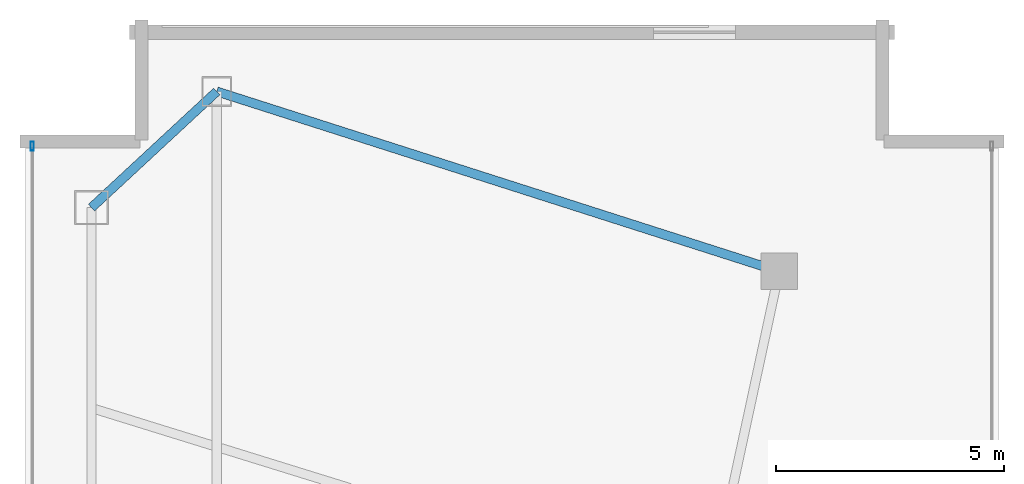
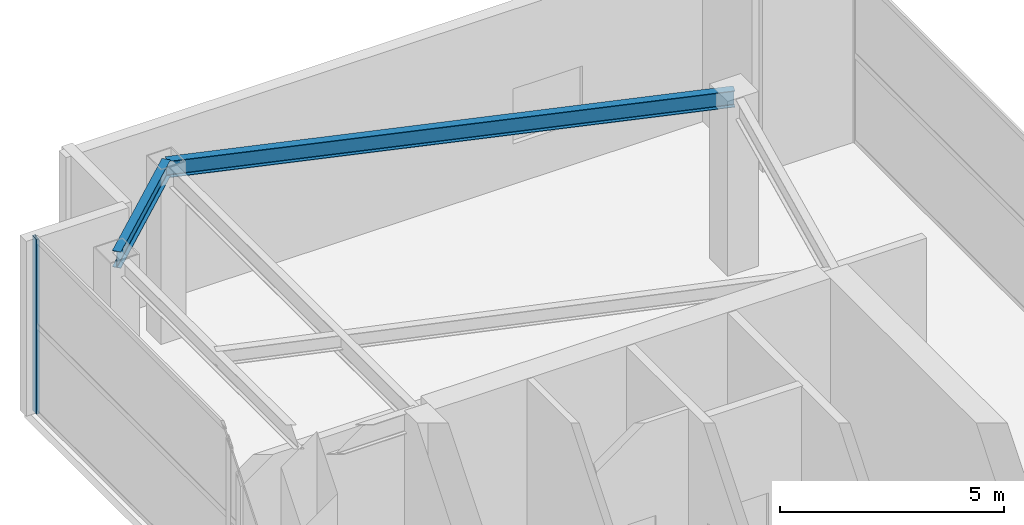
# One storey, part 14 of 20: 2 beams, 1 member, 1 element without a shape of its own.
"""IFC4 building model written with IfcOpenShell, lengths in metres."""

from ifc_helpers import new_model, si_unit, direction, frame, origin, origin_2d, place, context, subcontext, project, spatial, hollow_rectangle, i_section, extrude, material, layer, layer_set, material_profile, profile_set, type_object, element, aggregate, save


model = new_model("IFC4")

# Units and contexts
model_context = context("Model", 3, precision=1e-05, world=origin(), true_north=direction((0.0, 1.0)))
body_context = subcontext(model_context, "Body", "Model", "MODEL_VIEW")
ifc_project = project(units=[si_unit("LENGTHUNIT", "METRE"), si_unit("AREAUNIT", "SQUARE_METRE"), si_unit("VOLUMEUNIT", "CUBIC_METRE"), si_unit("PLANEANGLEUNIT", "RADIAN"), si_unit("MASSUNIT", "GRAM", prefix="KILO")], contexts=[model_context])

# Site, building, storey
site_placement = place(None, origin())
site = spatial("IfcSite", under=ifc_project, at=site_placement, CompositionType="ELEMENT")
building_placement = place(site_placement, origin())
building = spatial("IfcBuilding", under=site, at=building_placement, Name="Calvorn Quay Hotel", CompositionType="ELEMENT")
storey_placement = place(building_placement, frame((0.0, 0.0, 340.5)))
storey = spatial("IfcBuildingStorey", under=building, at=storey_placement, Name="L83", CompositionType="ELEMENT", Elevation=340.5)

# Beams
ifc_material_1 = material(Name="Steel Q355B", Category="steel")
ifc_material_profile_1 = material_profile(ifc_material_1, i_section(OverallWidth=0.199951171875, OverallDepth=0.449951171875, WebThickness=0.009033203125, FlangeThickness=0.013916015625, FilletRadius=0.01611328125, at=origin_2d()), Name="HN450x200x9x14")
ifc_profile_set_1 = profile_set([ifc_material_profile_1], Name="Steel Q355B")
beam_type = type_object("IfcBeamType", Name="BM-SPANDREL-Z3", PredefinedType="SPANDREL", material=ifc_profile_set_1)
beam_1_placement = place(storey_placement, frame((1.449951171875, 47.0, 4.514892578125), z_axis=(0.733261665538, 0.679946563969, 0.0), x_axis=(-0.679946563969, 0.733261665538, 0.0)))
element("IfcBeam", 1, at=beam_1_placement, inside=storey, type_object=beam_type, Name="Beam BSP-L83-W5", PredefinedType="SPANDREL", context=body_context, shape_type="SweptSolid", body=[
    extrude(i_section(OverallWidth=0.199951171875, OverallDepth=0.449951171875, WebThickness=0.009033203125, FlangeThickness=0.013916015625, FilletRadius=0.01611328125, at=origin_2d()), origin(), (0.0, 0.0, 1.0), 3.75048828125),
])
beam_2_placement = place(storey_placement, frame((4.199951171875, 49.550048828125, 4.514892578125), z_axis=(0.952470702374, -0.304630203885, 0.0), x_axis=(0.304630203885, 0.952470702374, 0.0)))
element("IfcBeam", 2, at=beam_2_placement, inside=storey, type_object=beam_type, Name="Beam BSP-L83-W6", PredefinedType="SPANDREL", context=body_context, shape_type="SweptSolid", body=[
    extrude(i_section(OverallWidth=0.199951171875, OverallDepth=0.449951171875, WebThickness=0.009033203125, FlangeThickness=0.013916015625, FilletRadius=0.01611328125, at=origin_2d()), origin(), (0.0, 0.0, 1.0), 12.96630859375),
])

# Curtain wall, member
ifc_material_2 = material(Name="Pale Anodised Aluminium and Laminated Glass", Category="aluminium")
ifc_layer = layer(ifc_material_2, 0.219970703125)
ifc_layer_set = layer_set([ifc_layer], Name="CW-SYS-CRN")
curtain_wall_type = type_object("IfcCurtainWallType", Name="CW-SYS-CRN", PredefinedType="NOTDEFINED", material=ifc_layer_set)
curtain_wall_placement = place(storey_placement, origin())
curtain_wall = element("IfcCurtainWall", 3, at=curtain_wall_placement, inside=storey, type_object=curtain_wall_type, Name="Crown Curtain Wall L83-C3", PredefinedType="NOTDEFINED")
ifc_material_3 = material(Name="Pale Anodised Aluminium 6063-T6", Category="aluminium")
ifc_material_profile_2 = material_profile(ifc_material_3, hollow_rectangle(XDim=0.072021484375, YDim=0.195068359375, WallThickness=0.00390625, at=origin_2d()), Name="ALU-M195x72x4")
ifc_profile_set_2 = profile_set([ifc_material_profile_2], Name="Pale Anodised Aluminium 6063-T6")
member_type = type_object("IfcMemberType", Name="CW-SYS-CRN-MUL", PredefinedType="MULLION", material=ifc_profile_set_2)
member_placement = place(storey_placement, frame((0.14990234375, 48.35009765625, 0.0), z_axis=(0.0, 0.0, 1.0), x_axis=(1.0, 0.0, 0.0)))
member = element("IfcMember", 4, at=member_placement, type_object=member_type, Name="CW-L83-C3 mullion 1", PredefinedType="MULLION", context=body_context, shape_type="SweptSolid", body=[
    extrude(hollow_rectangle(XDim=0.072021484375, YDim=0.195068359375, WallThickness=0.00390625, at=origin_2d()), origin(), (0.0, 0.0, 1.0), 4.760009765625),
])
aggregate(curtain_wall, [member])

save(model, "model.ifc")
